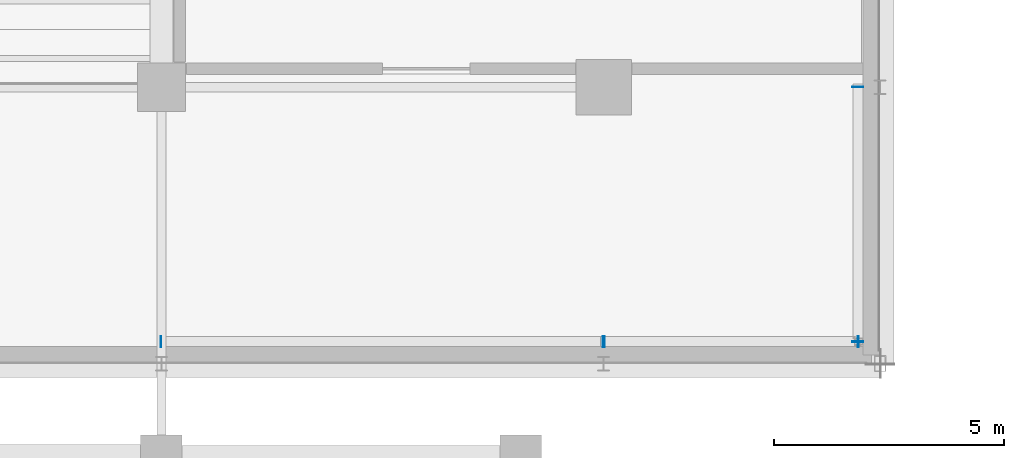
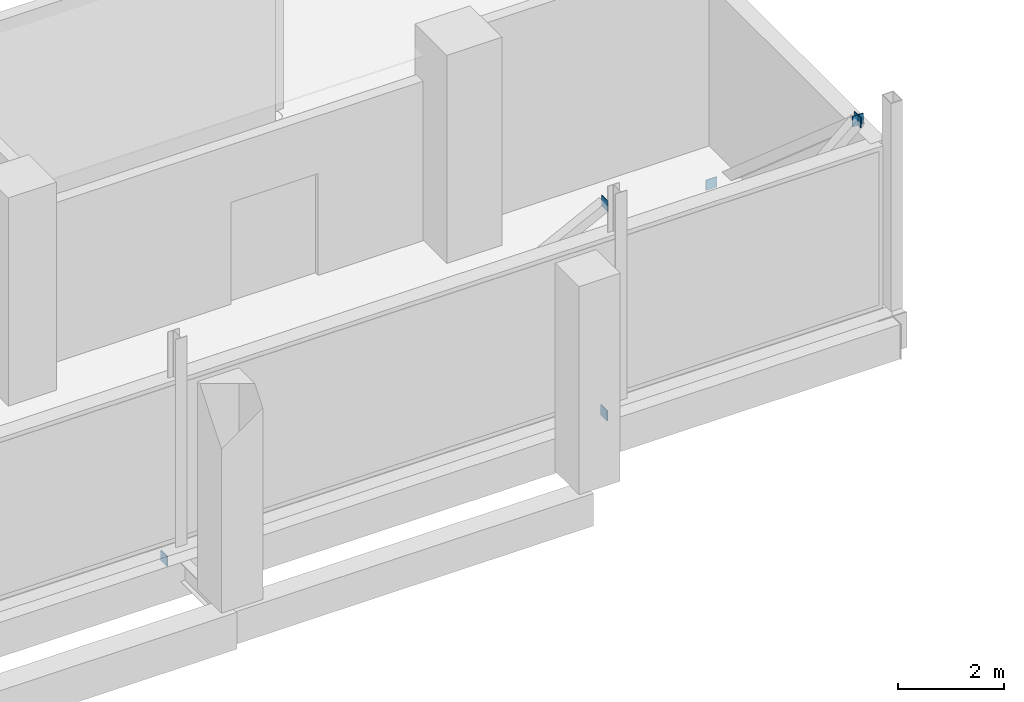
# One storey, part 84 of 102: 6 plates.
"""IFC4 building model written with IfcOpenShell, lengths in metres."""

import ifcopenshell
import ifcopenshell.guid

model = None  # the IFC model being written
_history = None  # IfcOwnerHistory: only IFC2X3 demands one
_inside = {}  # id of a spatial element -> (the spatial element, [elements in it])
_under = {}  # id of a project, library or spatial element -> (it, [spatial elements below it])
_declared = {}  # id of a project -> (the project, [libraries it declares])
_typed = {}  # id of a type object -> (the type object, [elements of that type])
_made_of = {}  # id of a material, layer set ... -> (it, [elements and type objects made of it])


def new_model(schema):
    """Start an empty IFC model of exactly this schema.

    Asked for "IFC4X3", IfcOpenShell would pick the latest addendum, in which some entities
    have other attributes; the version numbers below select the first issue.
    IFC2X3 requires an IfcOwnerHistory on every rooted entity: one is made here for all.
    """
    global model, _history
    if schema == "IFC4X3":
        model = ifcopenshell.file(schema_version=(4, 3, 0, 0))
    else:
        model = ifcopenshell.file(schema=schema)
    _inside.clear()
    _under.clear()
    _declared.clear()
    _typed.clear()
    _made_of.clear()
    _history = None
    if model.schema == "IFC2X3":
        org = make("IfcOrganization", Name="unknown")
        user = make(
            "IfcPersonAndOrganization",
            ThePerson=make("IfcPerson", FamilyName="unknown"),
            TheOrganization=org,
        )
        app = make(
            "IfcApplication",
            ApplicationDeveloper=org,
            Version="unknown",
            ApplicationFullName="unknown",
            ApplicationIdentifier="unknown",
        )
        _history = make(
            "IfcOwnerHistory",
            OwningUser=user,
            OwningApplication=app,
            ChangeAction="ADDED",
            CreationDate=0,
        )
    return model


def make(cls, **values):
    """One entity of the class cls with the attributes given. An attribute that is None is left unset."""
    return model.create_entity(
        cls, **{name: value for name, value in values.items() if value is not None}
    )


def rooted(cls, **values):
    """An entity with a GlobalId (a new one), such as an element, a storey or a relation."""
    return make(cls, GlobalId=ifcopenshell.guid.new(), OwnerHistory=_history, **values)


def si_unit(unit_type, name, prefix=None):
    """IfcSIUnit, for example si_unit("LENGTHUNIT", "METRE", prefix="MILLI")."""
    return make("IfcSIUnit", UnitType=unit_type, Prefix=prefix, Name=name)


def derived_unit(unit_type, elements):
    """IfcDerivedUnit: a product of units, each with its exponent."""
    return make(
        "IfcDerivedUnit",
        Elements=[
            make("IfcDerivedUnitElement", Unit=unit, Exponent=power)
            for unit, power in elements
        ],
        UnitType=unit_type,
    )


def assignment(units):
    """IfcUnitAssignment: the units of a project."""
    return None if units is None else make("IfcUnitAssignment", Units=units)


def point(xyz):
    """IfcCartesianPoint."""
    return None if xyz is None else make("IfcCartesianPoint", Coordinates=xyz)


def direction(xyz):
    """IfcDirection."""
    return None if xyz is None else make("IfcDirection", DirectionRatios=xyz)


def frame(location, z_axis=None, x_axis=None):
    """IfcAxis2Placement3D, a coordinate frame: its origin and axes. An axis left out is left unset."""
    return make(
        "IfcAxis2Placement3D",
        Location=point(location),
        Axis=direction(z_axis),
        RefDirection=direction(x_axis),
    )


def frame_2d(location, x_axis=None):
    """IfcAxis2Placement2D, a coordinate frame in the plane: its origin and x axis."""
    return make(
        "IfcAxis2Placement2D", Location=point(location), RefDirection=direction(x_axis)
    )


def origin():
    """The frame at (0, 0, 0) with its axes left unset."""
    return frame((0.0, 0.0, 0.0))


def origin_2d():
    """The frame at (0, 0) in the plane with its x axis left unset."""
    return frame_2d((0.0, 0.0))


def place(relative_to, where):
    """IfcLocalPlacement: puts the frame where relative to a parent placement (None: the world)."""
    return make(
        "IfcLocalPlacement", PlacementRelTo=relative_to, RelativePlacement=where
    )


def context(
    kind, dimensions, precision=None, world=None, true_north=None, identifier=None
):
    """IfcGeometricRepresentationContext, for example the 3D "Model" context."""
    return make(
        "IfcGeometricRepresentationContext",
        ContextIdentifier=identifier,
        ContextType=kind,
        CoordinateSpaceDimension=dimensions,
        Precision=precision,
        WorldCoordinateSystem=world,
        TrueNorth=true_north,
    )


def subcontext(parent, identifier, kind, view, scale=None):
    """IfcGeometricRepresentationSubContext, for example "Body" below "Model"."""
    return make(
        "IfcGeometricRepresentationSubContext",
        ContextIdentifier=identifier,
        ContextType=kind,
        ParentContext=parent,
        TargetScale=scale,
        TargetView=view,
    )


def project(units=None, contexts=None):
    """IfcProject with its units and contexts."""
    return rooted(
        "IfcProject",
        Name="project",
        RepresentationContexts=contexts,
        UnitsInContext=assignment(units),
    )


def spatial(cls, under=None, at=None, **own):
    """A site, building, storey or space (cls), placed at a placement, below another one or the project."""
    s = rooted(cls, ObjectPlacement=at, **own)
    if under is not None:
        _under.setdefault(under.id(), (under, []))[1].append(s)
    return s


def profile(cls, at=None, kind="AREA", **sizes):
    """A parametric profile (cls). Its sizes go by their IFC names, for example OverallWidth=200.0."""
    return make(cls, ProfileType=kind, Position=at, **sizes)


def rectangle(**sizes):
    """IfcRectangleProfileDef."""
    return profile("IfcRectangleProfileDef", **sizes)


def extrude(swept, where, along, depth):
    """IfcExtrudedAreaSolid: the profile swept, set in the frame where, extruded along a direction by depth."""
    return make(
        "IfcExtrudedAreaSolid",
        SweptArea=swept,
        Position=where,
        ExtrudedDirection=direction(along),
        Depth=depth,
    )


def shape(context_of_items, identifier, shape_type, items):
    """IfcShapeRepresentation: the items that make up one representation, for example the "Body"."""
    return make(
        "IfcShapeRepresentation",
        ContextOfItems=context_of_items,
        RepresentationIdentifier=identifier,
        RepresentationType=shape_type,
        Items=items,
    )


def material(Name=None, Category=None):
    """IfcMaterial."""
    return make("IfcMaterial", Name=Name, Category=Category)


def layer(
    of_material, thickness, ventilated=None, Name=None, Category=None, Priority=None
):
    """IfcMaterialLayer: one layer of a wall or slab, of a material (None: an air gap)."""
    return make(
        "IfcMaterialLayer",
        Material=of_material,
        LayerThickness=thickness,
        IsVentilated=ventilated,
        Name=Name,
        Category=Category,
        Priority=Priority,
    )


def layer_set(layers, Name=None):
    """IfcMaterialLayerSet."""
    return make("IfcMaterialLayerSet", MaterialLayers=layers, LayerSetName=Name)


def made_of(thing, what):
    """Note that an element or type object is made of a material, layer set ...; save() writes the relation."""
    if what is not None:
        _made_of.setdefault(what.id(), (what, []))[1].append(thing)
    return thing


def type_object(cls, material=None, **own):
    """A type object (cls), such as IfcWallType, which elements share."""
    return made_of(rooted(cls, **own), material)


def element(
    cls,
    number,
    at=None,
    inside=None,
    cuts=None,
    type_object=None,
    material=None,
    context=None,
    identifier="Body",
    shape_type=None,
    held_by="IfcProductDefinitionShape",
    body=None,
    shapes=None,
    **own,
):
    """One element of the class cls, such as IfcWall. Its Tag is "e" and its number.

    at: its placement. inside: the storey or other place that contains it. cuts: it is an
    opening in that element (IfcRelVoidsElement). A single representation is given by context,
    identifier, shape_type and body (its items); several are given by shapes. held_by: the class
    of the entity that holds the representations. save() writes the other relations.
    """
    e = rooted(cls, Tag="e%d" % number, ObjectPlacement=at, **own)
    if body is not None:
        shapes = [shape(context, identifier, shape_type, body)]
    if shapes is not None:
        e.Representation = make(held_by, Representations=shapes)
    if inside is not None:
        _inside.setdefault(inside.id(), (inside, []))[1].append(e)
    if cuts is not None:
        rooted(
            "IfcRelVoidsElement", RelatingBuildingElement=cuts, RelatedOpeningElement=e
        )
    if type_object is not None:
        _typed.setdefault(type_object.id(), (type_object, []))[1].append(e)
    return made_of(e, material)


def aggregate(whole, parts):
    """IfcRelAggregates: a whole, such as a stair, and the parts it consists of."""
    return rooted("IfcRelAggregates", RelatingObject=whole, RelatedObjects=parts)


def save(model, path):
    """Write the relations noted so far, then the file.

    IfcRelAggregates (storeys below a building ...), IfcRelContainedInSpatialStructure (elements
    in a storey), IfcRelDefinesByType, IfcRelAssociatesMaterial and IfcRelDeclares: one each for
    every whole, place, type object, material and project.
    """
    for whole, parts in _under.values():
        aggregate(whole, parts)
    for where, things in _inside.values():
        rooted(
            "IfcRelContainedInSpatialStructure",
            RelatedElements=things,
            RelatingStructure=where,
        )
    for kind, things in _typed.values():
        rooted("IfcRelDefinesByType", RelatedObjects=things, RelatingType=kind)
    for what, things in _made_of.values():
        rooted("IfcRelAssociatesMaterial", RelatedObjects=things, RelatingMaterial=what)
    for by, libraries in _declared.values():
        rooted("IfcRelDeclares", RelatingContext=by, RelatedDefinitions=libraries)
    model.write(path)


model = new_model("IFC4")

# Units and contexts
model_context = context("Model", 3, precision=1e-05, world=origin(), true_north=direction((0.0, 1.0)))
body_context = subcontext(model_context, "Body", "Model", "MODEL_VIEW")
ifc_project = project(units=[si_unit("LENGTHUNIT", "METRE"), si_unit("AREAUNIT", "SQUARE_METRE"), si_unit("VOLUMEUNIT", "CUBIC_METRE"), si_unit("PLANEANGLEUNIT", "RADIAN"), si_unit("MASSUNIT", "GRAM", prefix="KILO"), derived_unit("THERMALTRANSMITTANCEUNIT", [(si_unit("POWERUNIT", "WATT"), 1), (si_unit("LENGTHUNIT", "METRE"), -2), (si_unit("THERMODYNAMICTEMPERATUREUNIT", "KELVIN"), -1)])], contexts=[model_context])

# Site, building, storey
site_placement = place(None, origin())
site = spatial("IfcSite", under=ifc_project, at=site_placement, CompositionType="ELEMENT")
building_placement = place(site_placement, origin())
building = spatial("IfcBuilding", under=site, at=building_placement, Name="Nallur Shell Playhouse", CompositionType="ELEMENT")
storey_placement = place(building_placement, frame((0.0, 0.0, 15.0)))
storey = spatial("IfcBuildingStorey", under=building, at=storey_placement, Name="L04", CompositionType="ELEMENT", Elevation=15.0)

# Plates
ifc_material = material(Name="Steel E350", Category="steel")
ifc_layer = layer(ifc_material, 0.02001953125)
ifc_layer_set = layer_set([ifc_layer], Name="Steel E350")
plate_type = type_object("IfcPlateType", Name="PT-ENDCAP-20", PredefinedType="SHEET", material=ifc_layer_set)
for number, where, z_axis, x_axis, name in (
    (1, (118.1201171875, 16.007568359375, -0.78662109375), (0.0, 0.0, 1.0), (1.0, 0.0, 0.0), "Hollow end cap EC-GBD-L04-3-A"),
    (2, (118.1201171875, 10.472412109375, 4.03662109375), (0.0, 0.0, 1.0), (1.0, 0.0, 0.0), "Hollow end cap EC-GBD-L04-3-B"),
):
    element("IfcPlate", number, at=place(storey_placement, frame(where, z_axis=z_axis, x_axis=x_axis)), inside=storey, type_object=plate_type, Name=name, PredefinedType="SHEET", context=body_context, shape_type="SweptSolid", body=[
        extrude(rectangle(XDim=0.239990234375, YDim=0.02001953125, at=origin_2d()), origin(), (0.0, 0.0, 1.0), 0.239990234375),
    ])
for number, where, z_axis, x_axis, name in (
    (3, (112.592529296875, 10.47998046875, -0.78662109375), (0.0, 0.0, 1.0), (1.0, 0.0, 0.0), "Hollow end cap EC-GBD-L04-7-A"),
    (4, (118.12744140625, 10.47998046875, 4.03662109375), (0.0, 0.0, 1.0), (1.0, 0.0, 0.0), "Hollow end cap EC-GBD-L04-7-B"),
    (5, (102.990966796875, 10.47998046875, -0.78466796875), (0.0, 0.0, 1.0), (1.0, 0.0, 0.0), "Hollow end cap EC-GBD-L04-8-A"),
    (6, (112.60888671875, 10.47998046875, 4.03466796875), (0.0, 0.0, 1.0), (1.0, 0.0, 0.0), "Hollow end cap EC-GBD-L04-8-B"),
):
    element("IfcPlate", number, at=place(storey_placement, frame(where, z_axis=z_axis, x_axis=x_axis)), inside=storey, type_object=plate_type, Name=name, PredefinedType="SHEET", context=body_context, shape_type="SweptSolid", body=[
        extrude(rectangle(XDim=0.02001953125, YDim=0.239990234375, at=origin_2d()), origin(), (0.0, 0.0, 1.0), 0.239990234375),
    ])

save(model, "model.ifc")
